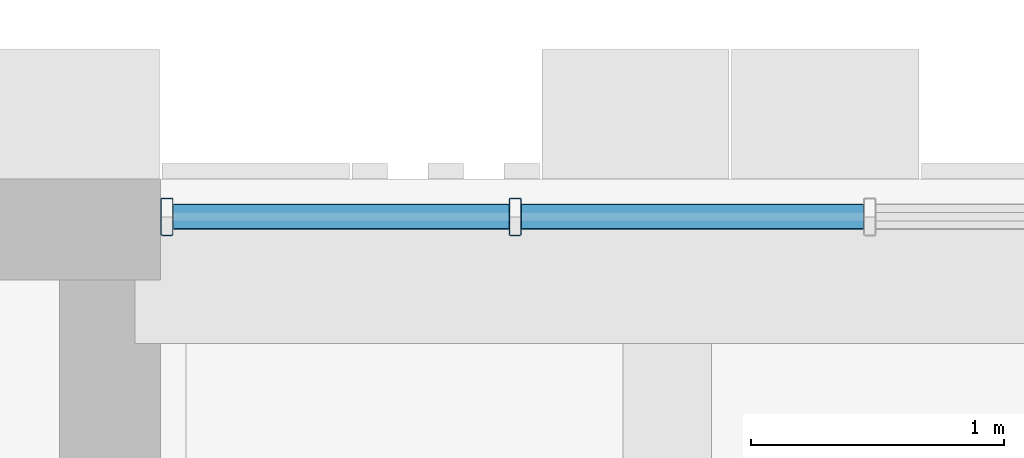
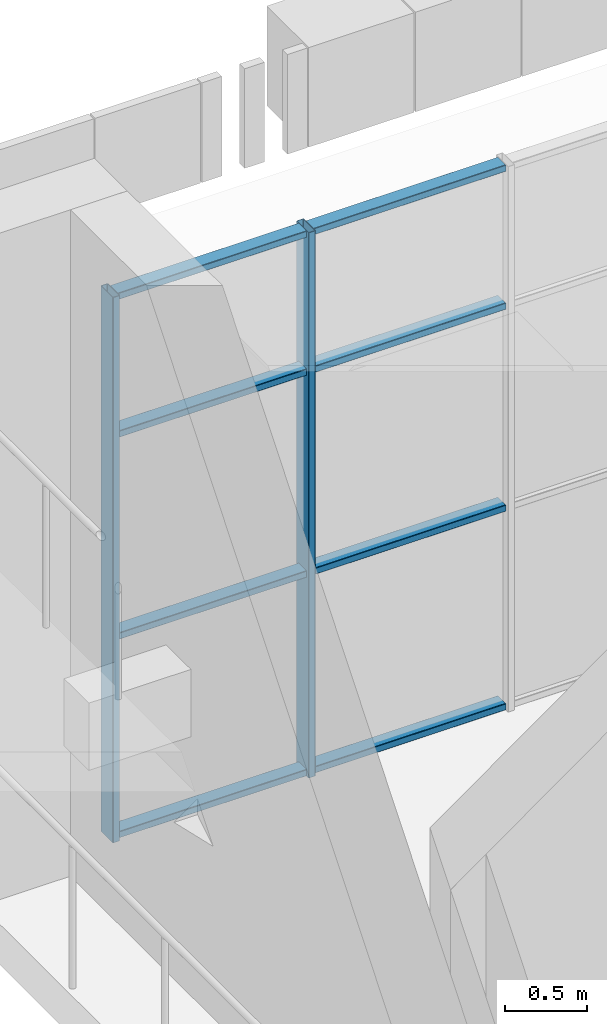
# One storey, part 3 of 125: 10 members, 1 element without a shape of its own.
"""IFC4 building model written with IfcOpenShell, lengths in metres."""

from ifc_helpers import new_model, si_unit, direction, frame, origin, origin_2d, place, context, subcontext, project, spatial, hollow_rectangle, extrude, material, material_profile, profile_set, type_object, element, aggregate, save


model = new_model("IFC4")

# Units and contexts
model_context = context("Model", 3, precision=1e-05, world=origin(), true_north=direction((0.0, 1.0)))
body_context = subcontext(model_context, "Body", "Model", "MODEL_VIEW")
ifc_project = project(units=[si_unit("LENGTHUNIT", "METRE"), si_unit("AREAUNIT", "SQUARE_METRE"), si_unit("VOLUMEUNIT", "CUBIC_METRE"), si_unit("PLANEANGLEUNIT", "RADIAN"), si_unit("MASSUNIT", "GRAM", prefix="KILO")], contexts=[model_context])

# Site, building, storey
site_placement = place(None, origin())
site = spatial("IfcSite", under=ifc_project, at=site_placement, CompositionType="ELEMENT")
building_placement = place(site_placement, origin())
building = spatial("IfcBuilding", under=site, at=building_placement, Name="Sun Court Science Centre", CompositionType="ELEMENT")
storey_placement = place(building_placement, frame((0.0, 0.0, 6.0)))
storey = spatial("IfcBuildingStorey", under=building, at=storey_placement, Name="L01", CompositionType="ELEMENT", Elevation=6.0)

# Curtain wall, members
ifc_material_1 = material(Name="Aluminium EN AW-6063 T6", Category="aluminium")
curtain_wall_type = type_object("IfcCurtainWallType", Name="Court gallery curtain wall 1500", PredefinedType="NOTDEFINED", material=ifc_material_1)
curtain_wall_placement = place(storey_placement, origin())
curtain_wall = element("IfcCurtainWall", 1, at=curtain_wall_placement, inside=storey, type_object=curtain_wall_type, Name="Curtain wall V2 N L01 01", PredefinedType="NOTDEFINED")
ifc_material_2 = material(Name="Aluminium EN AW-6063 T6", Category="aluminium")
ifc_material_profile_1 = material_profile(ifc_material_2, hollow_rectangle(XDim=0.050048828125, YDim=0.14990234375, WallThickness=0.00390625, InnerFilletRadius=0.00390625, OuterFilletRadius=0.006103515625, at=origin_2d()), Name="AL 50x150x4")
ifc_profile_set_1 = profile_set([ifc_material_profile_1], Name="Aluminium EN AW-6063 T6")
member_type_1 = type_object("IfcMemberType", Name="Curtain wall mullion AL 50x150", PredefinedType="MULLION", material=ifc_profile_set_1)
member_1_placement = place(storey_placement, frame((30.02490234375, 27.85009765625, 0.0), z_axis=(0.0, 0.0, 1.0), x_axis=(1.0, 0.0, 0.0)))
member_1 = element("IfcMember", 2, at=member_1_placement, type_object=member_type_1, Name="CW5-03 mullion 1", PredefinedType="MULLION", context=body_context, shape_type="SweptSolid", body=[
    extrude(hollow_rectangle(XDim=0.050048828125, YDim=0.14990234375, WallThickness=0.00390625, InnerFilletRadius=0.00390625, OuterFilletRadius=0.006103515625, at=origin_2d()), origin(), (0.0, 0.0, 1.0), 4.050048828125),
])
member_2_placement = place(storey_placement, frame((31.39990234375, 27.85009765625, 0.0), z_axis=(0.0, 0.0, 1.0), x_axis=(1.0, 0.0, 0.0)))
member_2 = element("IfcMember", 3, at=member_2_placement, type_object=member_type_1, Name="CW5-03 mullion 2", PredefinedType="MULLION", context=body_context, shape_type="SweptSolid", body=[
    extrude(hollow_rectangle(XDim=0.050048828125, YDim=0.14990234375, WallThickness=0.00390625, InnerFilletRadius=0.00390625, OuterFilletRadius=0.006103515625, at=origin_2d()), origin(), (0.0, 0.0, 1.0), 4.050048828125),
])
ifc_material_3 = material(Name="Aluminium EN AW-6063 T6", Category="aluminium")
ifc_material_profile_2 = material_profile(ifc_material_3, hollow_rectangle(XDim=0.050048828125, YDim=0.10009765625, WallThickness=0.00390625, InnerFilletRadius=0.00390625, OuterFilletRadius=0.006103515625, at=origin_2d()), Name="AL 50x100x4")
ifc_profile_set_2 = profile_set([ifc_material_profile_2], Name="Aluminium EN AW-6063 T6")
member_type_2 = type_object("IfcMemberType", Name="Curtain wall transom AL 50x100", PredefinedType="USERDEFINED", material=ifc_profile_set_2)
member_3_placement = place(storey_placement, frame((30.050048828125, 27.85009765625, 0.02490234375), z_axis=(1.0, 0.0, 0.0), x_axis=(0.0, 0.0, 1.0)))
member_3 = element("IfcMember", 4, at=member_3_placement, type_object=member_type_2, Name="CW5-03 transom 1.1", ObjectType="TRANSOM", PredefinedType="USERDEFINED", context=body_context, shape_type="SweptSolid", body=[
    extrude(hollow_rectangle(XDim=0.050048828125, YDim=0.10009765625, WallThickness=0.00390625, InnerFilletRadius=0.00390625, OuterFilletRadius=0.006103515625, at=origin_2d()), origin(), (0.0, 0.0, 1.0), 1.324951171875),
])
member_4_placement = place(storey_placement, frame((31.425048828125, 27.85009765625, 0.02490234375), z_axis=(1.0, 0.0, 0.0), x_axis=(0.0, 0.0, 1.0)))
member_4 = element("IfcMember", 5, at=member_4_placement, type_object=member_type_2, Name="CW5-03 transom 2.1", ObjectType="TRANSOM", PredefinedType="USERDEFINED", context=body_context, shape_type="SweptSolid", body=[
    extrude(hollow_rectangle(XDim=0.050048828125, YDim=0.10009765625, WallThickness=0.00390625, InnerFilletRadius=0.00390625, OuterFilletRadius=0.006103515625, at=origin_2d()), origin(), (0.0, 0.0, 1.0), 1.349853515625),
])
member_5_placement = place(storey_placement, frame((30.050048828125, 27.85009765625, 1.5), z_axis=(1.0, 0.0, 0.0), x_axis=(0.0, 0.0, 1.0)))
member_5 = element("IfcMember", 6, at=member_5_placement, type_object=member_type_2, Name="CW5-03 transom 1.2", ObjectType="TRANSOM", PredefinedType="USERDEFINED", context=body_context, shape_type="SweptSolid", body=[
    extrude(hollow_rectangle(XDim=0.050048828125, YDim=0.10009765625, WallThickness=0.00390625, InnerFilletRadius=0.00390625, OuterFilletRadius=0.006103515625, at=origin_2d()), origin(), (0.0, 0.0, 1.0), 1.324951171875),
])
member_6_placement = place(storey_placement, frame((31.425048828125, 27.85009765625, 1.5), z_axis=(1.0, 0.0, 0.0), x_axis=(0.0, 0.0, 1.0)))
member_6 = element("IfcMember", 7, at=member_6_placement, type_object=member_type_2, Name="CW5-03 transom 2.2", ObjectType="TRANSOM", PredefinedType="USERDEFINED", context=body_context, shape_type="SweptSolid", body=[
    extrude(hollow_rectangle(XDim=0.050048828125, YDim=0.10009765625, WallThickness=0.00390625, InnerFilletRadius=0.00390625, OuterFilletRadius=0.006103515625, at=origin_2d()), origin(), (0.0, 0.0, 1.0), 1.349853515625),
])
member_7_placement = place(storey_placement, frame((30.050048828125, 27.85009765625, 3.0), z_axis=(1.0, 0.0, 0.0), x_axis=(0.0, 0.0, 1.0)))
member_7 = element("IfcMember", 8, at=member_7_placement, type_object=member_type_2, Name="CW5-03 transom 1.3", ObjectType="TRANSOM", PredefinedType="USERDEFINED", context=body_context, shape_type="SweptSolid", body=[
    extrude(hollow_rectangle(XDim=0.050048828125, YDim=0.10009765625, WallThickness=0.00390625, InnerFilletRadius=0.00390625, OuterFilletRadius=0.006103515625, at=origin_2d()), origin(), (0.0, 0.0, 1.0), 1.324951171875),
])
member_8_placement = place(storey_placement, frame((31.425048828125, 27.85009765625, 3.0), z_axis=(1.0, 0.0, 0.0), x_axis=(0.0, 0.0, 1.0)))
member_8 = element("IfcMember", 9, at=member_8_placement, type_object=member_type_2, Name="CW5-03 transom 2.3", ObjectType="TRANSOM", PredefinedType="USERDEFINED", context=body_context, shape_type="SweptSolid", body=[
    extrude(hollow_rectangle(XDim=0.050048828125, YDim=0.10009765625, WallThickness=0.00390625, InnerFilletRadius=0.00390625, OuterFilletRadius=0.006103515625, at=origin_2d()), origin(), (0.0, 0.0, 1.0), 1.349853515625),
])
member_9_placement = place(storey_placement, frame((30.050048828125, 27.85009765625, 4.02490234375), z_axis=(1.0, 0.0, 0.0), x_axis=(0.0, 0.0, 1.0)))
member_9 = element("IfcMember", 10, at=member_9_placement, type_object=member_type_2, Name="CW5-03 transom 1.4", ObjectType="TRANSOM", PredefinedType="USERDEFINED", context=body_context, shape_type="SweptSolid", body=[
    extrude(hollow_rectangle(XDim=0.050048828125, YDim=0.10009765625, WallThickness=0.00390625, InnerFilletRadius=0.00390625, OuterFilletRadius=0.006103515625, at=origin_2d()), origin(), (0.0, 0.0, 1.0), 1.324951171875),
])
member_10_placement = place(storey_placement, frame((31.425048828125, 27.85009765625, 4.02490234375), z_axis=(1.0, 0.0, 0.0), x_axis=(0.0, 0.0, 1.0)))
member_10 = element("IfcMember", 11, at=member_10_placement, type_object=member_type_2, Name="CW5-03 transom 2.4", ObjectType="TRANSOM", PredefinedType="USERDEFINED", context=body_context, shape_type="SweptSolid", body=[
    extrude(hollow_rectangle(XDim=0.050048828125, YDim=0.10009765625, WallThickness=0.00390625, InnerFilletRadius=0.00390625, OuterFilletRadius=0.006103515625, at=origin_2d()), origin(), (0.0, 0.0, 1.0), 1.349853515625),
])
aggregate(curtain_wall, [member_1, member_2, member_3, member_4, member_5, member_6, member_7, member_8, member_9, member_10])

save(model, "model.ifc")
